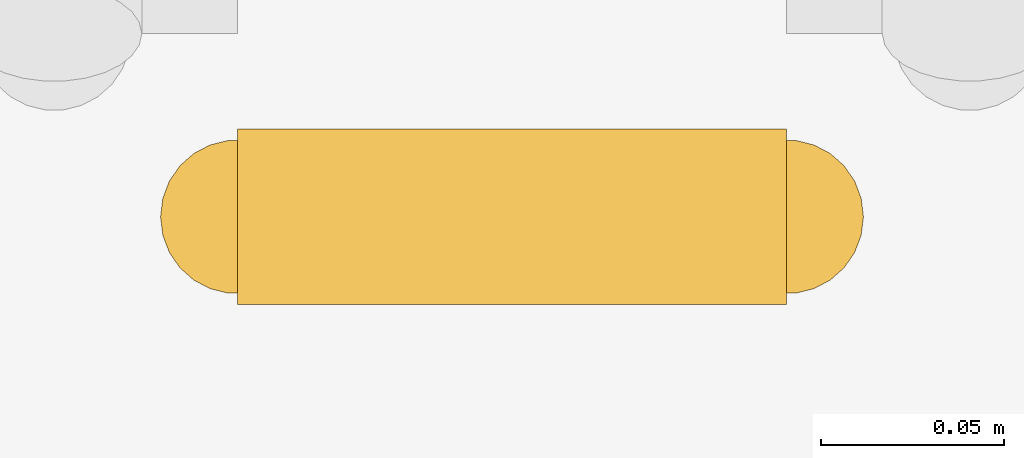
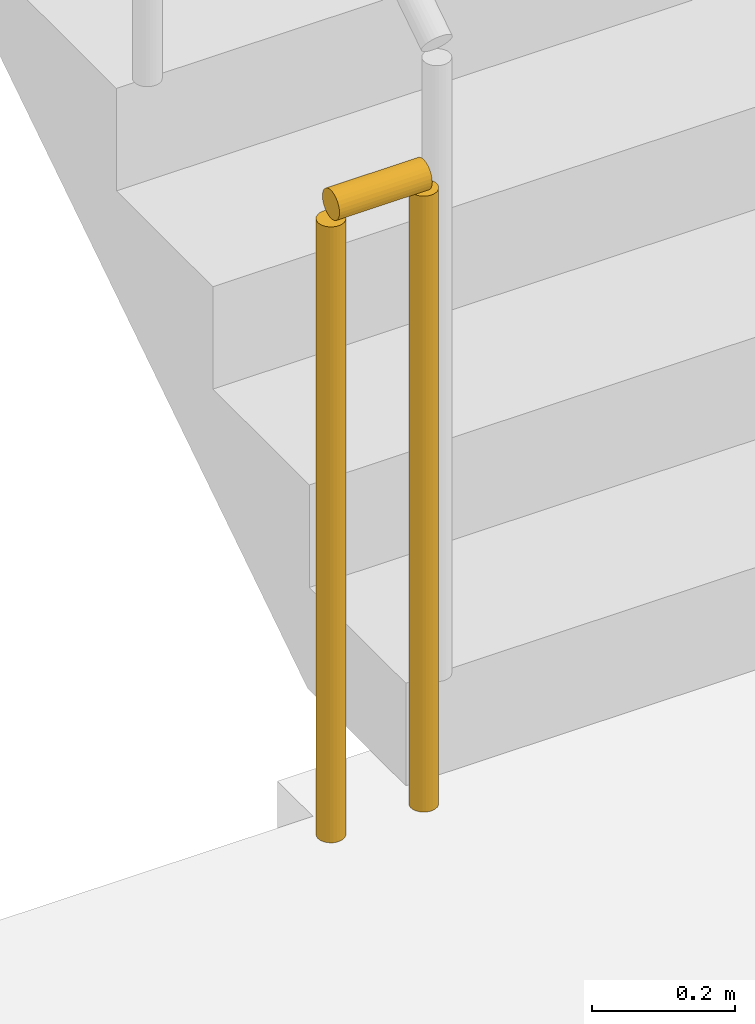
# One storey, part 17 of 20: 1 railing.
"""IFC4 building model written with IfcOpenShell, lengths in metres."""

from ifc_helpers import new_model, si_unit, direction, frame, origin, origin_2d, place, context, subcontext, project, spatial, circle, extrude, material, type_object, element, save


model = new_model("IFC4")

# Units and contexts
model_context = context("Model", 3, precision=1e-05, world=origin(), true_north=direction((0.0, 1.0)))
body_context = subcontext(model_context, "Body", "Model", "MODEL_VIEW")
ifc_project = project(units=[si_unit("LENGTHUNIT", "METRE"), si_unit("AREAUNIT", "SQUARE_METRE"), si_unit("VOLUMEUNIT", "CUBIC_METRE"), si_unit("PLANEANGLEUNIT", "RADIAN"), si_unit("MASSUNIT", "GRAM", prefix="KILO")], contexts=[model_context])

# Site, building, storey
site_placement = place(None, origin())
site = spatial("IfcSite", under=ifc_project, at=site_placement, CompositionType="ELEMENT")
building_placement = place(site_placement, origin())
building = spatial("IfcBuilding", under=site, at=building_placement, Name="Saffron Iwan Residences", CompositionType="ELEMENT")
storey_placement = place(building_placement, frame((0.0, 0.0, 171.0)))
storey = spatial("IfcBuildingStorey", under=building, at=storey_placement, Name="L45", CompositionType="ELEMENT", Elevation=171.0)

# Railing
ifc_material = material(Name="Steel S355", Category="steel")
railing_type = type_object("IfcRailingType", Name="Stair guard 1100", PredefinedType="GUARDRAIL", material=ifc_material)
railing_placement = place(storey_placement, frame((69.699951171875, 67.800048828125, 0.0)))
element("IfcRailing", 1, at=railing_placement, inside=storey, type_object=railing_type, Name="L45 ST-E stair guard 2", PredefinedType="GUARDRAIL", context=body_context, shape_type="SweptSolid", body=[
    extrude(circle(Radius=0.02392578125, at=origin_2d()), frame((0.0, 0.0, 1.076171875), z_axis=(-1.0, 0.0, 0.0), x_axis=(0.0, -1.0, 0.0)), (0.0, 0.0, 1.0), 0.14990234375),
    extrude(circle(Radius=0.02099609375, at=origin_2d()), origin(), (0.0, 0.0, 1.0), 1.052001953125),
    extrude(circle(Radius=0.02099609375, at=origin_2d()), frame((-0.14990234375, 0.0, 0.0)), (0.0, 0.0, 1.0), 1.052001953125),
])

save(model, "model.ifc")
